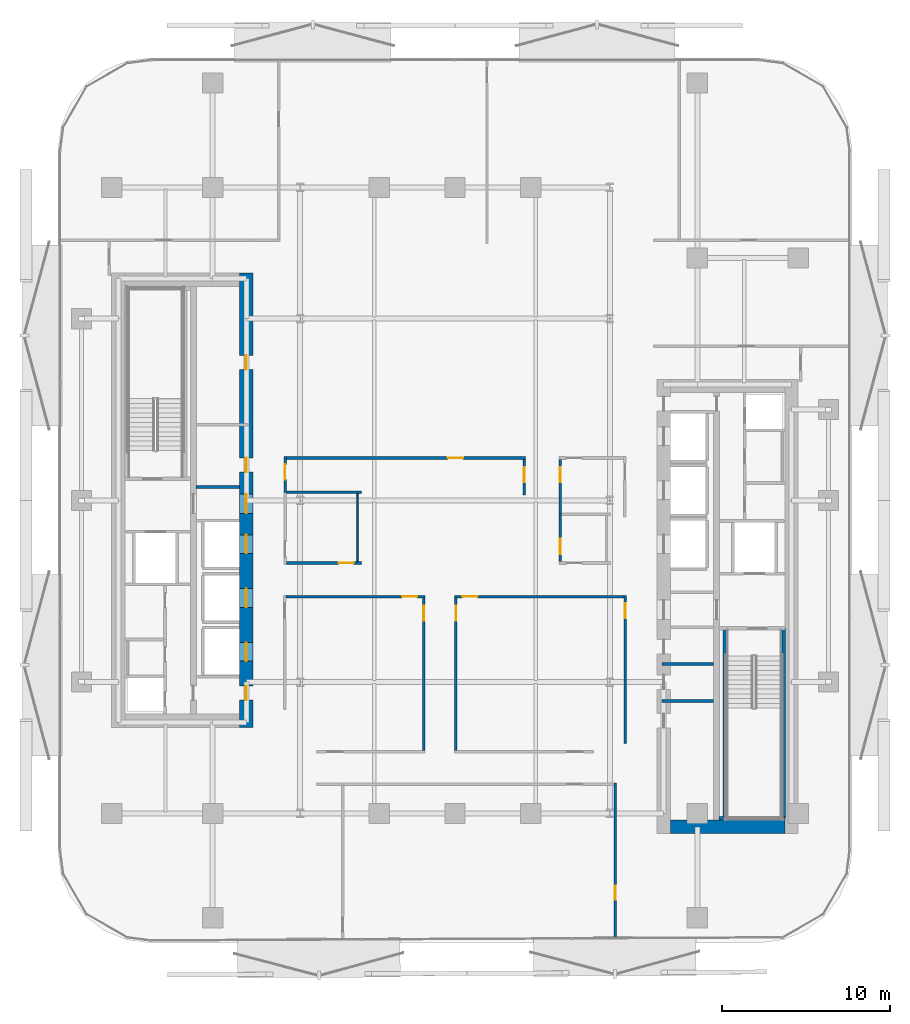
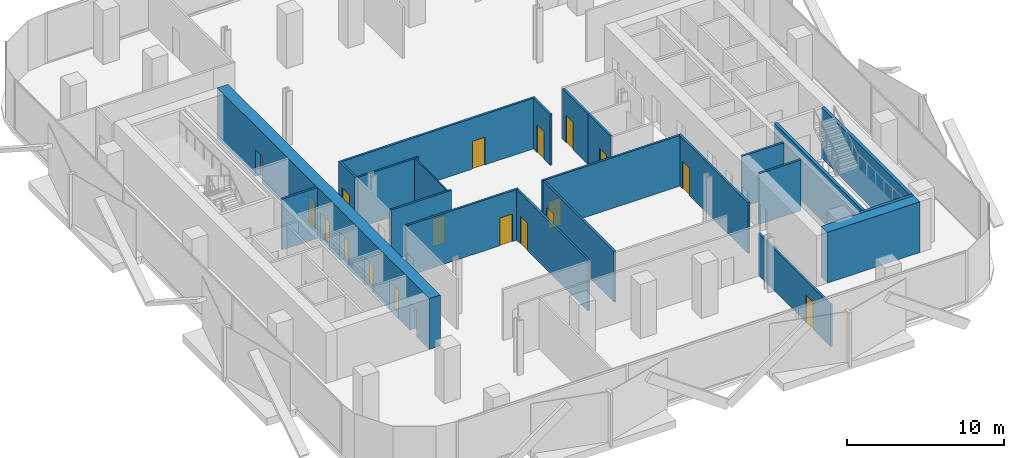
# One storey, part 4 of 15: 22 walls, 19 doors, 19 openings.
"""IFC4 building model written with IfcOpenShell, lengths in metres."""

from ifc_helpers import new_model, si_unit, direction, frame, frame_2d, origin, place, context, subcontext, project, spatial, rectangle, extrude, material, layer, layer_set, type_object, element, fill, save


model = new_model("IFC4")

# Units and contexts
model_context = context("Model", 3, precision=1e-05, world=origin(), true_north=direction((0.0, 1.0)))
body_context = subcontext(model_context, "Body", "Model", "MODEL_VIEW")
ifc_project = project(units=[si_unit("LENGTHUNIT", "METRE"), si_unit("AREAUNIT", "SQUARE_METRE"), si_unit("VOLUMEUNIT", "CUBIC_METRE"), si_unit("PLANEANGLEUNIT", "RADIAN"), si_unit("MASSUNIT", "GRAM", prefix="KILO")], contexts=[model_context])

# Site, building, storey
site_placement = place(None, origin())
site = spatial("IfcSite", under=ifc_project, at=site_placement, CompositionType="ELEMENT")
building_placement = place(site_placement, origin())
building = spatial("IfcBuilding", under=site, at=building_placement, Name="Khairoan Windgate Tower", CompositionType="ELEMENT")
storey_placement = place(building_placement, frame((0.0, 0.0, 131.0)))
storey = spatial("IfcBuildingStorey", under=building, at=storey_placement, Name="L30", CompositionType="ELEMENT", Elevation=131.0)

# Walls
ifc_material_1 = material(Name="Moisture-Resistant Gypsum Partition", Category="gypsum")
ifc_layer_1 = layer(ifc_material_1, 0.10009765625, Name="Moisture-Resistant Gypsum Partition")
ifc_layer_set_1 = layer_set([ifc_layer_1], Name="Moisture-Resistant Gypsum Partition")
wall_type_1 = type_object("IfcWallType", Name="Bathroom Wet-Area Partition Wall", PredefinedType="PARTITIONING", material=ifc_layer_set_1)
wall_1_placement = place(storey_placement, frame((-5.800048828125, 0.409912109375, 0.0), z_axis=(0.0, 0.0, 1.0), x_axis=(0.0, -1.0, 0.0)))
element("IfcWall", 1, at=wall_1_placement, inside=storey, type_object=wall_type_1, Name="L30 Wet Room Side Wall 053", PredefinedType="PARTITIONING", context=body_context, shape_type="SweptSolid", body=[
    extrude(rectangle(XDim=4.054931640625, YDim=0.10009765625, at=frame_2d((2.02734375, 0.0))), origin(), (0.0, 0.0, 1.0), 3.93994140625),
])
ifc_material_2 = material(Name="Concrete C40/50", Category="concrete")
ifc_layer_2 = layer(ifc_material_2, 0.159912109375, Name="Concrete C40/50")
ifc_layer_set_2 = layer_set([ifc_layer_2], Name="Concrete C40/50")
wall_type_2 = type_object("IfcWallType", Name="Core and Hoistway Enclosure Wall", PredefinedType="STANDARD", material=ifc_layer_set_2)
wall_2_placement = place(storey_placement, frame((-15.39990234375, 0.800048828125, 0.0), z_axis=(0.0, 0.0, 1.0), x_axis=(1.0, 0.0, 0.0)))
element("IfcWall", 2, at=wall_2_placement, inside=storey, type_object=wall_type_2, Name="L30 Core Shaft Wall SW-WV1-L30", PredefinedType="STANDARD", context=body_context, shape_type="SweptSolid", body=[
    extrude(rectangle(XDim=2.599853515625, YDim=0.159912109375, at=frame_2d((1.2998046875, 0.0))), origin(), (0.0, 0.0, 1.0), 3.93994140625),
])

# Wall, opening, door
ifc_material_3 = material(Name="Acoustic Fire-Rated Gypsum Partition", Category="gypsum")
ifc_layer_3 = layer(ifc_material_3, 0.139892578125, Name="Acoustic Fire-Rated Gypsum Partition")
ifc_layer_set_3 = layer_set([ifc_layer_3], Name="Acoustic Fire-Rated Gypsum Partition")
wall_type_3 = type_object("IfcWallType", Name="Inter-Tenancy Compartment Wall", PredefinedType="PARTITIONING", material=ifc_layer_set_3)
wall_3_placement = place(storey_placement, frame((9.52001953125, -26.02001953125, 0.0), z_axis=(0.0, 0.0, 1.0), x_axis=(0.0, 1.0, 0.0)))
wall_3 = element("IfcWall", 3, at=wall_3_placement, inside=storey, type_object=wall_type_3, Name="L30 Interior Partition 047", PredefinedType="PARTITIONING", context=body_context, shape_type="SweptSolid", body=[
    extrude(rectangle(XDim=9.235107421875, YDim=0.139892578125, at=frame_2d((4.61767578125, 0.0))), origin(), (0.0, 0.0, 1.0), 3.239990234375),
])
opening_1_placement = place(wall_3_placement, frame((2.27587890625, 0.0, 0.0)))
opening_1 = element("IfcOpeningElement", 4, at=opening_1_placement, cuts=wall_3, Name="Opening FD-SRV", PredefinedType="OPENING", context=body_context, shape_type="SweptSolid", body=[
    extrude(rectangle(XDim=0.85009765625, YDim=2.10009765625, at=frame_2d((0.425048828125, 1.050048828125))), frame((0.0, 0.079833984375, 0.0), z_axis=(0.0, -1.0, 0.0), x_axis=(1.0, 0.0, 0.0)), (0.0, 0.0, 1.0), 0.159912109375),
])
ifc_material_4 = material(Name="Steel S355", Category="steel")
door_type_1 = type_object("IfcDoorType", Name="Core Service and Riser Fire Door FD-SRV 850x2100", OperationType="NOTDEFINED", PredefinedType="DOOR", material=ifc_material_4)
door_1_placement = place(opening_1_placement, origin())
door_1 = element("IfcDoor", 5, at=door_1_placement, inside=storey, type_object=door_type_1, Name="L30 L30-47-L30-48 Door", OperationType="SINGLE_SWING_LEFT", OverallHeight=2.10009765625, OverallWidth=0.85009765625, PredefinedType="DOOR", context=body_context, shape_type="SweptSolid", body=[
    extrude(rectangle(XDim=0.85009765625, YDim=2.10009765625, at=frame_2d((0.425048828125, 1.050048828125))), frame((0.0, 0.02490234375, 0.0), z_axis=(0.0, -1.0, 0.0), x_axis=(1.0, 0.0, 0.0)), (0.0, 0.0, 1.0), 0.050048828125),
])
fill(opening_1, door_1)

# Walls
wall_4_placement = place(storey_placement, frame((-10.02490234375, 0.47998046875, 0.0), z_axis=(0.0, 0.0, 1.0), x_axis=(1.0, 0.0, 0.0)))
element("IfcWall", 6, at=wall_4_placement, inside=storey, type_object=wall_type_3, Name="L30 Interior Partition 049", PredefinedType="PARTITIONING", context=body_context, shape_type="SweptSolid", body=[
    extrude(rectangle(XDim=4.46484375, YDim=0.139892578125, at=frame_2d((2.232421875, 0.0))), origin(), (0.0, 0.0, 1.0), 3.93994140625),
])
ifc_material_5 = material(Name="Concrete C40/50", Category="concrete")
ifc_layer_4 = layer(ifc_material_5, 0.159912109375, Name="Concrete C40/50")
ifc_layer_set_4 = layer_set([ifc_layer_4], Name="Concrete C40/50")
wall_type_4 = type_object("IfcWallType", Name="Plant and Refuge Compartment Wall", PredefinedType="PARTITIONING", material=ifc_layer_set_4)
for number, where, z_axis, x_axis, name in (
    (7, (12.31005859375, -11.919921875, 0.0), (0.0, 0.0, 1.0), (1.0, 0.0, 0.0), "L30 Interior Partition 012"),
    (8, (12.31005859375, -9.719970703125, 0.0), (0.0, 0.0, 1.0), (1.0, 0.0, 0.0), "L30 Interior Partition 013"),
):
    element("IfcWall", number, at=place(storey_placement, frame(where, z_axis=z_axis, x_axis=x_axis)), inside=storey, type_object=wall_type_4, Name=name, PredefinedType="PARTITIONING", context=body_context, shape_type="SweptSolid", body=[
        extrude(rectangle(XDim=3.06494140625, YDim=0.159912109375, at=frame_2d((1.532470703125, 0.0))), origin(), (0.0, 0.0, 1.0), 3.93994140625),
    ])

# Wall, opening, door
ifc_material_6 = material(Name="Acoustic Fire-Rated Gypsum Partition", Category="gypsum")
ifc_layer_5 = layer(ifc_material_6, 0.14990234375, Name="Acoustic Fire-Rated Gypsum Partition")
ifc_layer_set_5 = layer_set([ifc_layer_5], Name="Acoustic Fire-Rated Gypsum Partition")
wall_type_5 = type_object("IfcWallType", Name="Rated Corridor Partition Wall", PredefinedType="PARTITIONING", material=ifc_layer_set_5)
wall_5_placement = place(storey_placement, frame((-10.10009765625, 0.47998046875, 0.0), z_axis=(0.0, 0.0, 1.0), x_axis=(0.0, 1.0, 0.0)))
wall_5 = element("IfcWall", 9, at=wall_5_placement, inside=storey, type_object=wall_type_5, Name="L30 Interior Partition 016", PredefinedType="PARTITIONING", context=body_context, shape_type="SweptSolid", body=[
    extrude(rectangle(XDim=2.114990234375, YDim=0.14990234375, at=frame_2d((1.0576171875, 0.0))), origin(), (0.0, 0.0, 1.0), 3.93994140625),
])
opening_2_placement = place(wall_5_placement, frame((0.7548828125, 0.0, 0.0)))
opening_2 = element("IfcOpeningElement", 10, at=opening_2_placement, cuts=wall_5, Name="Opening FD-ENT", PredefinedType="OPENING", context=body_context, shape_type="SweptSolid", body=[
    extrude(rectangle(XDim=0.89990234375, YDim=2.14990234375, at=frame_2d((0.449951171875, 1.074951171875))), frame((0.0, 0.0849609375, 0.0), z_axis=(0.0, -1.0, 0.0), x_axis=(1.0, 0.0, 0.0)), (0.0, 0.0, 1.0), 0.169921875),
])
ifc_material_7 = material(Name="Timber Fire-Rated Core", Category="wood")
door_type_2 = type_object("IfcDoorType", Name="Unit and Office Fire Entrance Door FD-ENT 900x2150", OperationType="NOTDEFINED", PredefinedType="DOOR", material=ifc_material_7)
door_2_placement = place(opening_2_placement, origin())
door_2 = element("IfcDoor", 11, at=door_2_placement, inside=storey, type_object=door_type_2, Name="L30 L30-30-L30-52 Door", OperationType="SINGLE_SWING_RIGHT", OverallHeight=2.14990234375, OverallWidth=0.89990234375, PredefinedType="DOOR", context=body_context, shape_type="SweptSolid", body=[
    extrude(rectangle(XDim=0.89990234375, YDim=2.14990234375, at=frame_2d((0.449951171875, 1.074951171875))), frame((0.0, 0.02490234375, 0.0), z_axis=(0.0, -1.0, 0.0), x_axis=(1.0, 0.0, 0.0)), (0.0, 0.0, 1.0), 0.050048828125),
])
fill(opening_2, door_2)

wall_6_placement = place(storey_placement, frame((10.125, -14.43994140625, 0.0), z_axis=(0.0, 0.0, 1.0), x_axis=(0.0, 1.0, 0.0)))
wall_6 = element("IfcWall", 12, at=wall_6_placement, inside=storey, type_object=wall_type_5, Name="L30 Interior Partition 019", PredefinedType="PARTITIONING", context=body_context, shape_type="SweptSolid", body=[
    extrude(rectangle(XDim=8.800048828125, YDim=0.14990234375, at=frame_2d((4.39990234375, 0.0))), origin(), (0.0, 0.0, 1.0), 3.93994140625),
])
opening_3_placement = place(wall_6_placement, frame((7.43994140625, 0.0, 0.0)))
opening_3 = element("IfcOpeningElement", 13, at=opening_3_placement, cuts=wall_6, Name="Opening FD-ENT", PredefinedType="OPENING", context=body_context, shape_type="SweptSolid", body=[
    extrude(rectangle(XDim=0.89990234375, YDim=2.14990234375, at=frame_2d((0.449951171875, 1.074951171875))), frame((0.0, 0.0849609375, 0.0), z_axis=(0.0, -1.0, 0.0), x_axis=(1.0, 0.0, 0.0)), (0.0, 0.0, 1.0), 0.169921875),
])
door_3_placement = place(opening_3_placement, origin())
door_3 = element("IfcDoor", 14, at=door_3_placement, inside=storey, type_object=door_type_2, Name="L30 L30-31-L30-54 Door", OperationType="SINGLE_SWING_LEFT", OverallHeight=2.14990234375, OverallWidth=0.89990234375, PredefinedType="DOOR", context=body_context, shape_type="SweptSolid", body=[
    extrude(rectangle(XDim=0.89990234375, YDim=2.14990234375, at=frame_2d((0.449951171875, 1.074951171875))), frame((0.0, 0.02490234375, 0.0), z_axis=(0.0, -1.0, 0.0), x_axis=(1.0, 0.0, 0.0)), (0.0, 0.0, 1.0), 0.050048828125),
])
fill(opening_3, door_3)

wall_7_placement = place(storey_placement, frame((-10.02490234375, 2.52001953125, 0.0), z_axis=(0.0, 0.0, 1.0), x_axis=(1.0, 0.0, 0.0)))
wall_7 = element("IfcWall", 15, at=wall_7_placement, inside=storey, type_object=wall_type_5, Name="L30 Interior Partition 021", PredefinedType="PARTITIONING", context=body_context, shape_type="SweptSolid", body=[
    extrude(rectangle(XDim=14.219970703125, YDim=0.14990234375, at=frame_2d((7.10986328125, 0.0))), origin(), (0.0, 0.0, 1.0), 3.93994140625),
])
opening_4_placement = place(wall_7_placement, frame((9.607421875, 0.0, 0.0)))
opening_4 = element("IfcOpeningElement", 16, at=opening_4_placement, cuts=wall_7, Name="Opening FD-ENT", PredefinedType="OPENING", context=body_context, shape_type="SweptSolid", body=[
    extrude(rectangle(XDim=0.89990234375, YDim=2.14990234375, at=frame_2d((0.449951171875, 1.074951171875))), frame((0.0, 0.0849609375, 0.0), z_axis=(0.0, -1.0, 0.0), x_axis=(1.0, 0.0, 0.0)), (0.0, 0.0, 1.0), 0.169921875),
])
door_4_placement = place(opening_4_placement, origin())
door_4 = element("IfcDoor", 17, at=door_4_placement, inside=storey, type_object=door_type_2, Name="L30 L30-32-L30-52 Door", OperationType="SINGLE_SWING_LEFT", OverallHeight=2.14990234375, OverallWidth=0.89990234375, PredefinedType="DOOR", context=body_context, shape_type="SweptSolid", body=[
    extrude(rectangle(XDim=0.89990234375, YDim=2.14990234375, at=frame_2d((0.449951171875, 1.074951171875))), frame((0.0, 0.02490234375, 0.0), z_axis=(0.0, -1.0, 0.0), x_axis=(1.0, 0.0, 0.0)), (0.0, 0.0, 1.0), 0.050048828125),
])
fill(opening_4, door_4)

wall_8_placement = place(storey_placement, frame((-10.02490234375, -3.719970703125, 0.0), z_axis=(0.0, 0.0, 1.0), x_axis=(1.0, 0.0, 0.0)))
wall_8 = element("IfcWall", 18, at=wall_8_placement, inside=storey, type_object=wall_type_5, Name="L30 Interior Partition 023", PredefinedType="PARTITIONING", context=body_context, shape_type="SweptSolid", body=[
    extrude(rectangle(XDim=4.46484375, YDim=0.14990234375, at=frame_2d((2.232421875, 0.0))), origin(), (0.0, 0.0, 1.0), 3.93994140625),
])
opening_5_placement = place(wall_8_placement, frame((3.10498046875, 0.0, 0.0)))
opening_5 = element("IfcOpeningElement", 19, at=opening_5_placement, cuts=wall_8, Name="Opening FD-ENT", PredefinedType="OPENING", context=body_context, shape_type="SweptSolid", body=[
    extrude(rectangle(XDim=0.89990234375, YDim=2.14990234375, at=frame_2d((0.449951171875, 1.074951171875))), frame((0.0, 0.0849609375, 0.0), z_axis=(0.0, -1.0, 0.0), x_axis=(1.0, 0.0, 0.0)), (0.0, 0.0, 1.0), 0.169921875),
])
door_5_placement = place(opening_5_placement, origin())
door_5 = element("IfcDoor", 20, at=door_5_placement, inside=storey, type_object=door_type_2, Name="L30 L30-33-L30-51 Door", OperationType="SINGLE_SWING_LEFT", OverallHeight=2.14990234375, OverallWidth=0.89990234375, PredefinedType="DOOR", context=body_context, shape_type="SweptSolid", body=[
    extrude(rectangle(XDim=0.89990234375, YDim=2.14990234375, at=frame_2d((0.449951171875, 1.074951171875))), frame((0.0, 0.02490234375, 0.0), z_axis=(0.0, -1.0, 0.0), x_axis=(1.0, 0.0, 0.0)), (0.0, 0.0, 1.0), 0.050048828125),
])
fill(opening_5, door_5)

wall_9_placement = place(storey_placement, frame((-10.050048828125, -5.715087890625, 0.0), z_axis=(0.0, 0.0, 1.0), x_axis=(1.0, 0.0, 0.0)))
wall_9 = element("IfcWall", 21, at=wall_9_placement, inside=storey, type_object=wall_type_5, Name="L30 Interior Partition 024", PredefinedType="PARTITIONING", context=body_context, shape_type="SweptSolid", body=[
    extrude(rectangle(XDim=8.26513671875, YDim=0.14990234375, at=frame_2d((4.132568359375, 0.0))), origin(), (0.0, 0.0, 1.0), 3.93994140625),
])
opening_6_placement = place(wall_9_placement, frame((6.905029296875, 0.0, 0.0)))
opening_6 = element("IfcOpeningElement", 22, at=opening_6_placement, cuts=wall_9, Name="Opening FD-ENT", PredefinedType="OPENING", context=body_context, shape_type="SweptSolid", body=[
    extrude(rectangle(XDim=0.89990234375, YDim=2.14990234375, at=frame_2d((0.449951171875, 1.074951171875))), frame((0.0, 0.0849609375, 0.0), z_axis=(0.0, -1.0, 0.0), x_axis=(1.0, 0.0, 0.0)), (0.0, 0.0, 1.0), 0.169921875),
])
door_6_placement = place(opening_6_placement, origin())
door_6 = element("IfcDoor", 23, at=door_6_placement, inside=storey, type_object=door_type_2, Name="L30 L30-33-L30-53 Door", OperationType="SINGLE_SWING_RIGHT", OverallHeight=2.14990234375, OverallWidth=0.89990234375, PredefinedType="DOOR", context=body_context, shape_type="SweptSolid", body=[
    extrude(rectangle(XDim=0.89990234375, YDim=2.14990234375, at=frame_2d((0.449951171875, 1.074951171875))), frame((0.0, 0.02490234375, 0.0), z_axis=(0.0, -1.0, 0.0), x_axis=(1.0, 0.0, 0.0)), (0.0, 0.0, 1.0), 0.050048828125),
])
fill(opening_6, door_6)

wall_10_placement = place(storey_placement, frame((-0.014892578125, -5.715087890625, 0.0), z_axis=(0.0, 0.0, 1.0), x_axis=(1.0, 0.0, 0.0)))
wall_10 = element("IfcWall", 24, at=wall_10_placement, inside=storey, type_object=wall_type_5, Name="L30 Interior Partition 025", PredefinedType="PARTITIONING", context=body_context, shape_type="SweptSolid", body=[
    extrude(rectangle(XDim=10.06494140625, YDim=0.14990234375, at=frame_2d((5.032470703125, 0.0))), origin(), (0.0, 0.0, 1.0), 3.93994140625),
])
opening_7_placement = place(wall_10_placement, frame((0.4599609375, 0.0, 0.0)))
opening_7 = element("IfcOpeningElement", 25, at=opening_7_placement, cuts=wall_10, Name="Opening FD-ENT", PredefinedType="OPENING", context=body_context, shape_type="SweptSolid", body=[
    extrude(rectangle(XDim=0.89990234375, YDim=2.14990234375, at=frame_2d((0.449951171875, 1.074951171875))), frame((0.0, 0.0849609375, 0.0), z_axis=(0.0, -1.0, 0.0), x_axis=(1.0, 0.0, 0.0)), (0.0, 0.0, 1.0), 0.169921875),
])
door_7_placement = place(opening_7_placement, origin())
door_7 = element("IfcDoor", 26, at=door_7_placement, inside=storey, type_object=door_type_2, Name="L30 L30-33-L30-54 Door", OperationType="SINGLE_SWING_LEFT", OverallHeight=2.14990234375, OverallWidth=0.89990234375, PredefinedType="DOOR", context=body_context, shape_type="SweptSolid", body=[
    extrude(rectangle(XDim=0.89990234375, YDim=2.14990234375, at=frame_2d((0.449951171875, 1.074951171875))), frame((0.0, 0.02490234375, 0.0), z_axis=(0.0, -1.0, 0.0), x_axis=(1.0, 0.0, 0.0)), (0.0, 0.0, 1.0), 0.050048828125),
])
fill(opening_7, door_7)

wall_11_placement = place(storey_placement, frame((6.2548828125, -3.64501953125, 0.0), z_axis=(0.0, 0.0, 1.0), x_axis=(0.0, 1.0, 0.0)))
wall_11 = element("IfcWall", 27, at=wall_11_placement, inside=storey, type_object=wall_type_5, Name="L30 Interior Partition 026", PredefinedType="PARTITIONING", context=body_context, shape_type="SweptSolid", body=[
    extrude(rectangle(XDim=2.824951171875, YDim=0.14990234375, at=frame_2d((1.41259765625, 0.0))), origin(), (0.0, 0.0, 1.0), 3.93994140625),
])
opening_8_placement = place(wall_11_placement, frame((0.4599609375, 0.0, 0.0)))
opening_8 = element("IfcOpeningElement", 28, at=opening_8_placement, cuts=wall_11, Name="Opening FD-ENT", PredefinedType="OPENING", context=body_context, shape_type="SweptSolid", body=[
    extrude(rectangle(XDim=0.89990234375, YDim=2.14990234375, at=frame_2d((0.449951171875, 1.074951171875))), frame((0.0, 0.0849609375, 0.0), z_axis=(0.0, -1.0, 0.0), x_axis=(1.0, 0.0, 0.0)), (0.0, 0.0, 1.0), 0.169921875),
])
door_8_placement = place(opening_8_placement, origin())
door_8 = element("IfcDoor", 29, at=door_8_placement, inside=storey, type_object=door_type_2, Name="L30 L30-34-L30-49 Door", OperationType="SINGLE_SWING_RIGHT", OverallHeight=2.14990234375, OverallWidth=0.89990234375, PredefinedType="DOOR", context=body_context, shape_type="SweptSolid", body=[
    extrude(rectangle(XDim=0.89990234375, YDim=2.14990234375, at=frame_2d((0.449951171875, 1.074951171875))), frame((0.0, 0.02490234375, 0.0), z_axis=(0.0, -1.0, 0.0), x_axis=(1.0, 0.0, 0.0)), (0.0, 0.0, 1.0), 0.050048828125),
])
fill(opening_8, door_8)

wall_12_placement = place(storey_placement, frame((6.2548828125, -0.820068359375, 0.0), z_axis=(0.0, 0.0, 1.0), x_axis=(0.0, 1.0, 0.0)))
wall_12 = element("IfcWall", 30, at=wall_12_placement, inside=storey, type_object=wall_type_5, Name="L30 Interior Partition 027", PredefinedType="PARTITIONING", context=body_context, shape_type="SweptSolid", body=[
    extrude(rectangle(XDim=3.26513671875, YDim=0.14990234375, at=frame_2d((1.632568359375, 0.0))), origin(), (0.0, 0.0, 1.0), 3.93994140625),
])
opening_9_placement = place(wall_12_placement, frame((1.905029296875, 0.0, 0.0)))
opening_9 = element("IfcOpeningElement", 31, at=opening_9_placement, cuts=wall_12, Name="Opening FD-ENT", PredefinedType="OPENING", context=body_context, shape_type="SweptSolid", body=[
    extrude(rectangle(XDim=0.89990234375, YDim=2.14990234375, at=frame_2d((0.449951171875, 1.074951171875))), frame((0.0, 0.0849609375, 0.0), z_axis=(0.0, -1.0, 0.0), x_axis=(1.0, 0.0, 0.0)), (0.0, 0.0, 1.0), 0.169921875),
])
door_9_placement = place(opening_9_placement, origin())
door_9 = element("IfcDoor", 32, at=door_9_placement, inside=storey, type_object=door_type_2, Name="L30 L30-34-L30-50 Door", OperationType="SINGLE_SWING_LEFT", OverallHeight=2.14990234375, OverallWidth=0.89990234375, PredefinedType="DOOR", context=body_context, shape_type="SweptSolid", body=[
    extrude(rectangle(XDim=0.89990234375, YDim=2.14990234375, at=frame_2d((0.449951171875, 1.074951171875))), frame((0.0, 0.02490234375, 0.0), z_axis=(0.0, -1.0, 0.0), x_axis=(1.0, 0.0, 0.0)), (0.0, 0.0, 1.0), 0.050048828125),
])
fill(opening_9, door_9)

wall_13_placement = place(storey_placement, frame((4.1201171875, 0.320068359375, 0.0), z_axis=(0.0, 0.0, 1.0), x_axis=(0.0, 1.0, 0.0)))
wall_13 = element("IfcWall", 33, at=wall_13_placement, inside=storey, type_object=wall_type_5, Name="L30 Interior Partition 028", PredefinedType="PARTITIONING", context=body_context, shape_type="SweptSolid", body=[
    extrude(rectangle(XDim=2.125, YDim=0.14990234375, at=frame_2d((1.0625, 0.0))), origin(), (0.0, 0.0, 1.0), 3.93994140625),
])
opening_10_placement = place(wall_13_placement, frame((0.764892578125, 0.0, 0.0)))
opening_10 = element("IfcOpeningElement", 34, at=opening_10_placement, cuts=wall_13, Name="Opening FD-ENT", PredefinedType="OPENING", context=body_context, shape_type="SweptSolid", body=[
    extrude(rectangle(XDim=0.89990234375, YDim=2.14990234375, at=frame_2d((0.449951171875, 1.074951171875))), frame((0.0, 0.0849609375, 0.0), z_axis=(0.0, -1.0, 0.0), x_axis=(1.0, 0.0, 0.0)), (0.0, 0.0, 1.0), 0.169921875),
])
door_10_placement = place(opening_10_placement, origin())
door_10 = element("IfcDoor", 35, at=door_10_placement, inside=storey, type_object=door_type_2, Name="L30 L30-34-L30-52 Door", OperationType="SINGLE_SWING_RIGHT", OverallHeight=2.14990234375, OverallWidth=0.89990234375, PredefinedType="DOOR", context=body_context, shape_type="SweptSolid", body=[
    extrude(rectangle(XDim=0.89990234375, YDim=2.14990234375, at=frame_2d((0.449951171875, 1.074951171875))), frame((0.0, 0.02490234375, 0.0), z_axis=(0.0, -1.0, 0.0), x_axis=(1.0, 0.0, 0.0)), (0.0, 0.0, 1.0), 0.050048828125),
])
fill(opening_10, door_10)

wall_14_placement = place(storey_placement, frame((-1.860107421875, -14.864990234375, 0.0), z_axis=(0.0, 0.0, 1.0), x_axis=(0.0, 1.0, 0.0)))
wall_14 = element("IfcWall", 36, at=wall_14_placement, inside=storey, type_object=wall_type_5, Name="L30 Interior Partition 037", PredefinedType="PARTITIONING", context=body_context, shape_type="SweptSolid", body=[
    extrude(rectangle(XDim=9.074951171875, YDim=0.14990234375, at=frame_2d((4.53759765625, 0.0))), origin(), (0.0, 0.0, 1.0), 3.93994140625),
])
opening_11_placement = place(wall_14_placement, frame((7.715087890625, 0.0, 0.0)))
opening_11 = element("IfcOpeningElement", 37, at=opening_11_placement, cuts=wall_14, Name="Opening FD-ENT", PredefinedType="OPENING", context=body_context, shape_type="SweptSolid", body=[
    extrude(rectangle(XDim=0.89990234375, YDim=2.14990234375, at=frame_2d((0.449951171875, 1.074951171875))), frame((0.0, 0.0849609375, 0.0), z_axis=(0.0, -1.0, 0.0), x_axis=(1.0, 0.0, 0.0)), (0.0, 0.0, 1.0), 0.169921875),
])
door_11_placement = place(opening_11_placement, origin())
door_11 = element("IfcDoor", 38, at=door_11_placement, inside=storey, type_object=door_type_2, Name="L30 L30-38-L30-53 Door", OperationType="SINGLE_SWING_LEFT", OverallHeight=2.14990234375, OverallWidth=0.89990234375, PredefinedType="DOOR", context=body_context, shape_type="SweptSolid", body=[
    extrude(rectangle(XDim=0.89990234375, YDim=2.14990234375, at=frame_2d((0.449951171875, 1.074951171875))), frame((0.0, 0.02490234375, 0.0), z_axis=(0.0, -1.0, 0.0), x_axis=(1.0, 0.0, 0.0)), (0.0, 0.0, 1.0), 0.050048828125),
])
fill(opening_11, door_11)

wall_15_placement = place(storey_placement, frame((0.06005859375, -14.864990234375, 0.0), z_axis=(0.0, 0.0, 1.0), x_axis=(0.0, 1.0, 0.0)))
wall_15 = element("IfcWall", 39, at=wall_15_placement, inside=storey, type_object=wall_type_5, Name="L30 Interior Partition 038", PredefinedType="PARTITIONING", context=body_context, shape_type="SweptSolid", body=[
    extrude(rectangle(XDim=9.074951171875, YDim=0.14990234375, at=frame_2d((4.53759765625, 0.0))), origin(), (0.0, 0.0, 1.0), 3.93994140625),
])
opening_12_placement = place(wall_15_placement, frame((7.715087890625, 0.0, 0.0)))
opening_12 = element("IfcOpeningElement", 40, at=opening_12_placement, cuts=wall_15, Name="Opening FD-ENT", PredefinedType="OPENING", context=body_context, shape_type="SweptSolid", body=[
    extrude(rectangle(XDim=0.89990234375, YDim=2.14990234375, at=frame_2d((0.449951171875, 1.074951171875))), frame((0.0, 0.0849609375, 0.0), z_axis=(0.0, -1.0, 0.0), x_axis=(1.0, 0.0, 0.0)), (0.0, 0.0, 1.0), 0.169921875),
])
door_12_placement = place(opening_12_placement, origin())
door_12 = element("IfcDoor", 41, at=door_12_placement, inside=storey, type_object=door_type_2, Name="L30 L30-38-L30-54 Door", OperationType="SINGLE_SWING_RIGHT", OverallHeight=2.14990234375, OverallWidth=0.89990234375, PredefinedType="DOOR", context=body_context, shape_type="SweptSolid", body=[
    extrude(rectangle(XDim=0.89990234375, YDim=2.14990234375, at=frame_2d((0.449951171875, 1.074951171875))), frame((0.0, 0.02490234375, 0.0), z_axis=(0.0, -1.0, 0.0), x_axis=(1.0, 0.0, 0.0)), (0.0, 0.0, 1.0), 0.050048828125),
])
fill(opening_12, door_12)

# Wall
ifc_material_8 = material(Name="Concrete C70/85", Category="concrete")
ifc_layer_6 = layer(ifc_material_8, 0.800048828125, Name="Concrete C70/85")
ifc_layer_set_6 = layer_set([ifc_layer_6], Name="Concrete C70/85")
wall_type_6 = type_object("IfcWallType", Name="Shear Wall CW-E1 800mm", PredefinedType="SHEAR", material=ifc_layer_set_6)
wall_16_placement = place(storey_placement, frame((12.800048828125, -19.39990234375, 0.0), z_axis=(0.0, 0.0, 1.0), x_axis=(1.0, 0.0, 0.0)))
element("IfcWall", 42, at=wall_16_placement, inside=storey, type_object=wall_type_6, Name="E Core South Shear Wall L30", PredefinedType="SHEAR", context=body_context, shape_type="SweptSolid", body=[
    extrude(rectangle(XDim=6.800048828125, YDim=0.800048828125, at=frame_2d((3.39990234375, 0.0))), origin(), (0.0, 0.0, 1.0), 3.93994140625),
])

# Wall, openings, doors
ifc_material_9 = material(Name="Concrete C70/85", Category="concrete")
ifc_layer_7 = layer(ifc_material_9, 0.800048828125, Name="Concrete C70/85")
ifc_layer_set_7 = layer_set([ifc_layer_7], Name="Concrete C70/85")
wall_type_7 = type_object("IfcWallType", Name="Shear Wall CW-W1 800mm", PredefinedType="SHEAR", material=ifc_layer_set_7)
wall_17_placement = place(storey_placement, frame((-12.39990234375, -13.5, 0.0), z_axis=(0.0, 0.0, 1.0), x_axis=(0.0, 1.0, 0.0)))
wall_17 = element("IfcWall", 43, at=wall_17_placement, inside=storey, type_object=wall_type_7, Name="W Core East Shear Wall L30", PredefinedType="SHEAR", context=body_context, shape_type="SweptSolid", body=[
    extrude(rectangle(XDim=27.0, YDim=0.800048828125, at=frame_2d((13.5, 0.0))), origin(), (0.0, 0.0, 1.0), 3.93994140625),
])
opening_13_placement = place(wall_17_placement, frame((10.35009765625, 0.0, 0.0)))
opening_13 = element("IfcOpeningElement", 44, at=opening_13_placement, cuts=wall_17, Name="Opening LD-PL", PredefinedType="OPENING", context=body_context, shape_type="SweptSolid", body=[
    extrude(rectangle(XDim=1.10009765625, YDim=2.199951171875, at=frame_2d((0.550048828125, 1.10009765625))), frame((0.0, 0.409912109375, 0.0), z_axis=(0.0, -1.0, 0.0), x_axis=(1.0, 0.0, 0.0)), (0.0, 0.0, 1.0), 0.820068359375),
])
opening_14_placement = place(wall_17_placement, frame((7.14990234375, 0.0, 0.0)))
opening_14 = element("IfcOpeningElement", 45, at=opening_14_placement, cuts=wall_17, Name="Opening LD-PL", PredefinedType="OPENING", context=body_context, shape_type="SweptSolid", body=[
    extrude(rectangle(XDim=1.10009765625, YDim=2.199951171875, at=frame_2d((0.550048828125, 1.10009765625))), frame((0.0, 0.409912109375, 0.0), z_axis=(0.0, -1.0, 0.0), x_axis=(1.0, 0.0, 0.0)), (0.0, 0.0, 1.0), 0.820068359375),
])
opening_15_placement = place(wall_17_placement, frame((3.949951171875, 0.0, 0.0)))
opening_15 = element("IfcOpeningElement", 46, at=opening_15_placement, cuts=wall_17, Name="Opening LD-PL", PredefinedType="OPENING", context=body_context, shape_type="SweptSolid", body=[
    extrude(rectangle(XDim=1.10009765625, YDim=2.199951171875, at=frame_2d((0.550048828125, 1.10009765625))), frame((0.0, 0.409912109375, 0.0), z_axis=(0.0, -1.0, 0.0), x_axis=(1.0, 0.0, 0.0)), (0.0, 0.0, 1.0), 0.820068359375),
])
opening_16_placement = place(wall_17_placement, frame((15.175048828125, 0.0, 0.0)))
opening_16 = element("IfcOpeningElement", 47, at=opening_16_placement, cuts=wall_17, Name="Opening FD-SRV", PredefinedType="OPENING", context=body_context, shape_type="SweptSolid", body=[
    extrude(rectangle(XDim=0.85009765625, YDim=2.10009765625, at=frame_2d((0.425048828125, 1.050048828125))), frame((0.0, 0.409912109375, 0.0), z_axis=(0.0, -1.0, 0.0), x_axis=(1.0, 0.0, 0.0)), (0.0, 0.0, 1.0), 0.820068359375),
])
opening_17_placement = place(wall_17_placement, frame((21.27490234375, 0.0, 0.0)))
opening_17 = element("IfcOpeningElement", 48, at=opening_17_placement, cuts=wall_17, Name="Opening FD-SRV", PredefinedType="OPENING", context=body_context, shape_type="SweptSolid", body=[
    extrude(rectangle(XDim=0.85009765625, YDim=2.10009765625, at=frame_2d((0.425048828125, 1.050048828125))), frame((0.0, 0.409912109375, 0.0), z_axis=(0.0, -1.0, 0.0), x_axis=(1.0, 0.0, 0.0)), (0.0, 0.0, 1.0), 0.820068359375),
])
opening_18_placement = place(wall_17_placement, frame((12.72509765625, 0.0, 0.0)))
opening_18 = element("IfcOpeningElement", 49, at=opening_18_placement, cuts=wall_17, Name="Opening FD-FFL", PredefinedType="OPENING", context=body_context, shape_type="SweptSolid", body=[
    extrude(rectangle(XDim=1.14990234375, YDim=2.199951171875, at=frame_2d((0.574951171875, 1.10009765625))), frame((0.0, 0.409912109375, 0.0), z_axis=(0.0, -1.0, 0.0), x_axis=(1.0, 0.0, 0.0)), (0.0, 0.0, 1.0), 0.820068359375),
])
opening_19_placement = place(wall_17_placement, frame((1.625, 0.0, 0.0)))
opening_19 = element("IfcOpeningElement", 50, at=opening_19_placement, cuts=wall_17, Name="Opening FD-SRV", PredefinedType="OPENING", context=body_context, shape_type="SweptSolid", body=[
    extrude(rectangle(XDim=0.85009765625, YDim=2.10009765625, at=frame_2d((0.425048828125, 1.050048828125))), frame((0.0, 0.409912109375, 0.0), z_axis=(0.0, -1.0, 0.0), x_axis=(1.0, 0.0, 0.0)), (0.0, 0.0, 1.0), 0.820068359375),
])
door_13_placement = place(opening_16_placement, origin())
door_13 = element("IfcDoor", 51, at=door_13_placement, inside=storey, type_object=door_type_1, Name="L30 Upper Core Room Door B1-1", OperationType="SINGLE_SWING_LEFT", OverallHeight=2.10009765625, OverallWidth=0.85009765625, PredefinedType="DOOR", context=body_context, shape_type="SweptSolid", body=[
    extrude(rectangle(XDim=0.85009765625, YDim=2.10009765625, at=frame_2d((0.425048828125, 1.050048828125))), frame((0.0, 0.02490234375, 0.0), z_axis=(0.0, -1.0, 0.0), x_axis=(1.0, 0.0, 0.0)), (0.0, 0.0, 1.0), 0.050048828125),
])
fill(opening_16, door_13)
door_14_placement = place(opening_17_placement, origin())
door_14 = element("IfcDoor", 52, at=door_14_placement, inside=storey, type_object=door_type_1, Name="L30 Upper Core Room Door B1-2", OperationType="SINGLE_SWING_RIGHT", OverallHeight=2.10009765625, OverallWidth=0.85009765625, PredefinedType="DOOR", context=body_context, shape_type="SweptSolid", body=[
    extrude(rectangle(XDim=0.85009765625, YDim=2.10009765625, at=frame_2d((0.425048828125, 1.050048828125))), frame((0.0, 0.02490234375, 0.0), z_axis=(0.0, -1.0, 0.0), x_axis=(1.0, 0.0, 0.0)), (0.0, 0.0, 1.0), 0.050048828125),
])
fill(opening_17, door_14)
door_15_placement = place(opening_19_placement, origin())
door_15 = element("IfcDoor", 53, at=door_15_placement, inside=storey, type_object=door_type_1, Name="L30 West Core Service Vestibule Outer Door", OperationType="SINGLE_SWING_RIGHT", OverallHeight=2.10009765625, OverallWidth=0.85009765625, PredefinedType="DOOR", context=body_context, shape_type="SweptSolid", body=[
    extrude(rectangle(XDim=0.85009765625, YDim=2.10009765625, at=frame_2d((0.425048828125, 1.050048828125))), frame((0.0, 0.02490234375, 0.0), z_axis=(0.0, -1.0, 0.0), x_axis=(1.0, 0.0, 0.0)), (0.0, 0.0, 1.0), 0.050048828125),
])
fill(opening_19, door_15)
ifc_material_10 = material(Name="Steel S355", Category="steel")
door_type_3 = type_object("IfcDoorType", Name="Firefighting Lobby Fire Door FD-FFL 1150x2200", OperationType="NOTDEFINED", PredefinedType="DOOR", material=ifc_material_10)
door_16_placement = place(opening_18_placement, origin())
door_16 = element("IfcDoor", 54, at=door_16_placement, inside=storey, type_object=door_type_3, Name="L30 West Core Vestibule Entry Door", OperationType="SINGLE_SWING_RIGHT", OverallHeight=2.199951171875, OverallWidth=1.14990234375, PredefinedType="DOOR", context=body_context, shape_type="SweptSolid", body=[
    extrude(rectangle(XDim=1.14990234375, YDim=2.199951171875, at=frame_2d((0.574951171875, 1.10009765625))), frame((0.0, 0.02490234375, 0.0), z_axis=(0.0, -1.0, 0.0), x_axis=(1.0, 0.0, 0.0)), (0.0, 0.0, 1.0), 0.050048828125),
])
fill(opening_18, door_16)
ifc_material_11 = material(Name="Anodised Bronze Aluminium 6063-T6", Category="aluminium")
door_type_4 = type_object("IfcDoorType", Name="Passenger Lift Sliding Landing Door LD-PL 1100x2200", OperationType="DOUBLE_DOOR_SLIDING", PredefinedType="DOOR", material=ifc_material_11)
door_17_placement = place(opening_13_placement, origin())
door_17 = element("IfcDoor", 55, at=door_17_placement, inside=storey, type_object=door_type_4, Name="L30 Lift PL4 Sliding Landing Door", OperationType="DOUBLE_DOOR_SLIDING", OverallHeight=2.199951171875, OverallWidth=1.10009765625, PredefinedType="DOOR", context=body_context, shape_type="SweptSolid", body=[
    extrude(rectangle(XDim=1.10009765625, YDim=2.199951171875, at=frame_2d((0.550048828125, 1.10009765625))), frame((0.0, 0.02490234375, 0.0), z_axis=(0.0, -1.0, 0.0), x_axis=(1.0, 0.0, 0.0)), (0.0, 0.0, 1.0), 0.050048828125),
])
fill(opening_13, door_17)
door_18_placement = place(opening_14_placement, origin())
door_18 = element("IfcDoor", 56, at=door_18_placement, inside=storey, type_object=door_type_4, Name="L30 Lift PL5 Sliding Landing Door", OperationType="DOUBLE_DOOR_SLIDING", OverallHeight=2.199951171875, OverallWidth=1.10009765625, PredefinedType="DOOR", context=body_context, shape_type="SweptSolid", body=[
    extrude(rectangle(XDim=1.10009765625, YDim=2.199951171875, at=frame_2d((0.550048828125, 1.10009765625))), frame((0.0, 0.02490234375, 0.0), z_axis=(0.0, -1.0, 0.0), x_axis=(1.0, 0.0, 0.0)), (0.0, 0.0, 1.0), 0.050048828125),
])
fill(opening_14, door_18)
door_19_placement = place(opening_15_placement, origin())
door_19 = element("IfcDoor", 57, at=door_19_placement, inside=storey, type_object=door_type_4, Name="L30 Lift PL6 Sliding Landing Door", OperationType="DOUBLE_DOOR_SLIDING", OverallHeight=2.199951171875, OverallWidth=1.10009765625, PredefinedType="DOOR", context=body_context, shape_type="SweptSolid", body=[
    extrude(rectangle(XDim=1.10009765625, YDim=2.199951171875, at=frame_2d((0.550048828125, 1.10009765625))), frame((0.0, 0.02490234375, 0.0), z_axis=(0.0, -1.0, 0.0), x_axis=(1.0, 0.0, 0.0)), (0.0, 0.0, 1.0), 0.050048828125),
])
fill(opening_15, door_19)

# Walls
ifc_material_12 = material(Name="Concrete C50/60", Category="concrete")
ifc_layer_8 = layer(ifc_material_12, 0.219970703125, Name="Concrete C50/60")
ifc_layer_set_8 = layer_set([ifc_layer_8], Name="Concrete C50/60")
wall_type_8 = type_object("IfcWallType", Name="Shear Wall SW-ST 220mm", PredefinedType="SHEAR", material=ifc_layer_set_8)
for number, where, z_axis, x_axis, name in (
    (58, (16.0400390625, -18.889892578125, 0.0), (0.0, 0.0, 1.0), (0.0, 1.0, 0.0), "L30 Stair ST1 West Bearing Wall"),
    (59, (19.530029296875, -18.889892578125, 0.0), (0.0, 0.0, 1.0), (0.0, 1.0, 0.0), "L30 Stair ST1 East Bearing Wall"),
):
    element("IfcWall", number, at=place(storey_placement, frame(where, z_axis=z_axis, x_axis=x_axis)), inside=storey, type_object=wall_type_8, Name=name, PredefinedType="SHEAR", context=body_context, shape_type="SweptSolid", body=[
        extrude(rectangle(XDim=11.2998046875, YDim=0.219970703125, at=frame_2d((5.64990234375, 0.0))), origin(), (0.0, 0.0, 1.0), 3.93994140625),
    ])
wall_18_placement = place(storey_placement, frame((15.705078125, -18.889892578125, 0.0), z_axis=(0.0, 0.0, 1.0), x_axis=(1.0, 0.0, 0.0)))
element("IfcWall", 60, at=wall_18_placement, inside=storey, type_object=wall_type_8, Name="L30 Stair ST1 South Bearing Wall", PredefinedType="SHEAR", context=body_context, shape_type="SweptSolid", body=[
    extrude(rectangle(XDim=3.9150390625, YDim=0.219970703125, at=frame_2d((1.95751953125, 0.0))), origin(), (0.0, 0.0, 1.0), 3.93994140625),
])

save(model, "model.ifc")
